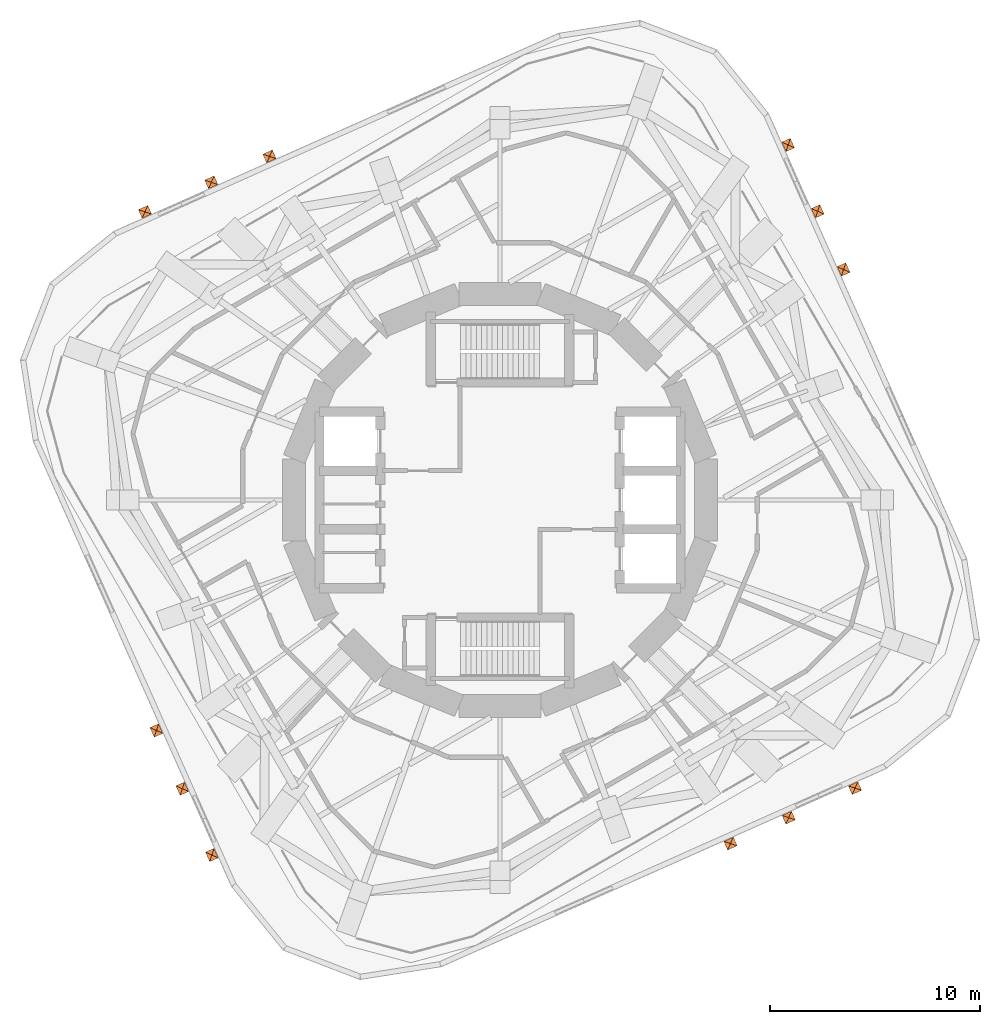
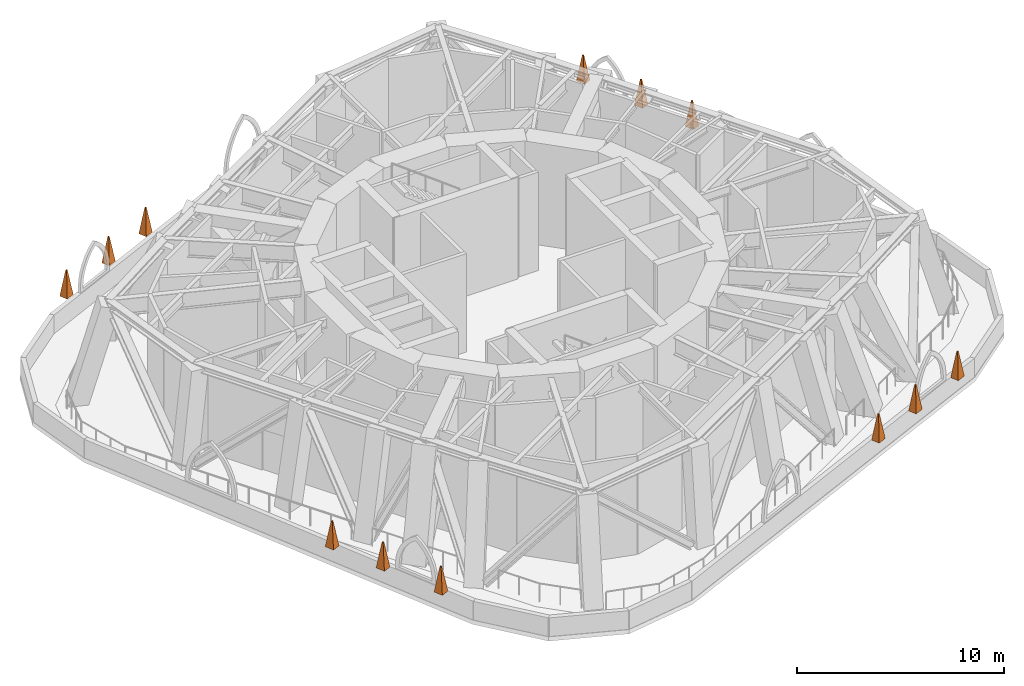
# One storey, part 10 of 10: 12 proxies.
"""IFC4 building model written with IfcOpenShell, lengths in metres."""

from ifc_helpers import new_model, entity, si_unit, direction, frame, origin, place, context, subcontext, project, spatial, material, type_object, element, save


model = new_model("IFC4")

# Units and contexts
model_context = context("Model", 3, precision=1e-05, world=origin(), true_north=direction((0.0, 1.0)))
body_context = subcontext(model_context, "Body", "Model", "MODEL_VIEW")
ifc_project = project(units=[si_unit("LENGTHUNIT", "METRE"), si_unit("AREAUNIT", "SQUARE_METRE"), si_unit("VOLUMEUNIT", "CUBIC_METRE"), si_unit("PLANEANGLEUNIT", "RADIAN"), si_unit("MASSUNIT", "GRAM", prefix="KILO")], contexts=[model_context])

# Site, building, storey
site_placement = place(None, origin())
site = spatial("IfcSite", under=ifc_project, at=site_placement, CompositionType="ELEMENT")
building_placement = place(site_placement, origin())
building = spatial("IfcBuilding", under=site, at=building_placement, Name="Nakasero Lantern House", CompositionType="ELEMENT")
storey_placement = place(building_placement, frame((0.0, 0.0, 217.10009765625)))
storey = spatial("IfcBuildingStorey", under=building, at=storey_placement, Name="L53", CompositionType="ELEMENT", Elevation=217.10009765625)

# Proxies
ifc_material = material(Name="Concrete C40/50 precast", Category="concrete")
building_element_proxy_type = type_object("IfcBuildingElementProxyType", Name="Pinnacle 500x450", PredefinedType="USERDEFINED", material=ifc_material)
for number, where, z_axis, x_axis, name in (
    (1, (16.373779296875, 10.981689453125, 1.099853515625), (0.0, 0.0, 1.0), (0.913545457643, 0.406736643076, 0.0), "Pinnacle B5 0-00"),
    (2, (15.13818359375, 13.757080078125, 1.099853515625), (0.0, 0.0, 1.0), (0.913545457643, 0.406736643076, 0.0), "Pinnacle B5 0-01"),
    (3, (13.731201171875, 16.917236328125, 1.099853515625), (0.0, 0.0, 1.0), (0.913545457643, 0.406736643076, 0.0), "Pinnacle B5 0-02"),
    (4, (-10.981689453125, 16.373779296875, 1.099853515625), (0.0, 0.0, 1.0), (-0.406736643076, 0.913545457643, 0.0), "Pinnacle B5 1-00"),
    (5, (-13.757080078125, 15.13818359375, 1.099853515625), (0.0, 0.0, 1.0), (-0.406736643076, 0.913545457643, 0.0), "Pinnacle B5 1-01"),
    (6, (-16.917236328125, 13.731201171875, 1.099853515625), (0.0, 0.0, 1.0), (-0.406736643076, 0.913545457643, 0.0), "Pinnacle B5 1-02"),
    (7, (-16.373779296875, -10.981689453125, 1.099853515625), (0.0, 0.0, 1.0), (-0.913545457643, -0.406736643076, 0.0), "Pinnacle B5 2-00"),
    (8, (-15.13818359375, -13.757080078125, 1.099853515625), (0.0, 0.0, 1.0), (-0.913545457643, -0.406736643076, 0.0), "Pinnacle B5 2-01"),
    (9, (-13.731201171875, -16.917236328125, 1.099853515625), (0.0, 0.0, 1.0), (-0.913545457643, -0.406736643076, 0.0), "Pinnacle B5 2-02"),
    (10, (10.981689453125, -16.373779296875, 1.099853515625), (0.0, 0.0, 1.0), (0.406736643076, -0.913545457643, 0.0), "Pinnacle B5 3-00"),
    (11, (13.757080078125, -15.13818359375, 1.099853515625), (0.0, 0.0, 1.0), (0.406736643076, -0.913545457643, 0.0), "Pinnacle B5 3-01"),
    (12, (16.917236328125, -13.731201171875, 1.099853515625), (0.0, 0.0, 1.0), (0.406736643076, -0.913545457643, 0.0), "Pinnacle B5 3-02"),
):
    element("IfcBuildingElementProxy", number, at=place(storey_placement, frame(where, z_axis=z_axis, x_axis=x_axis)), inside=storey, type_object=building_element_proxy_type, Name=name, ObjectType="PINNACLE", PredefinedType="USERDEFINED", context=body_context, shape_type="SweptSolid", body=[
        entity("IfcExtrudedAreaSolidTapered", entity("IfcRectangleProfileDef", "AREA", None, entity("IfcAxis2Placement2D", entity("IfcCartesianPoint", [0.0, 0.0])), 0.449951171875, 0.5), entity("IfcAxis2Placement3D", entity("IfcCartesianPoint", [0.0, 0.0, 0.0])), entity("IfcDirection", [0.0, 0.0, 1.0]), 1.5, entity("IfcRectangleProfileDef", "AREA", None, entity("IfcAxis2Placement2D", entity("IfcCartesianPoint", [0.0, 0.0])), 0.06005859375, 0.06005859375)),
    ])

save(model, "model.ifc")
